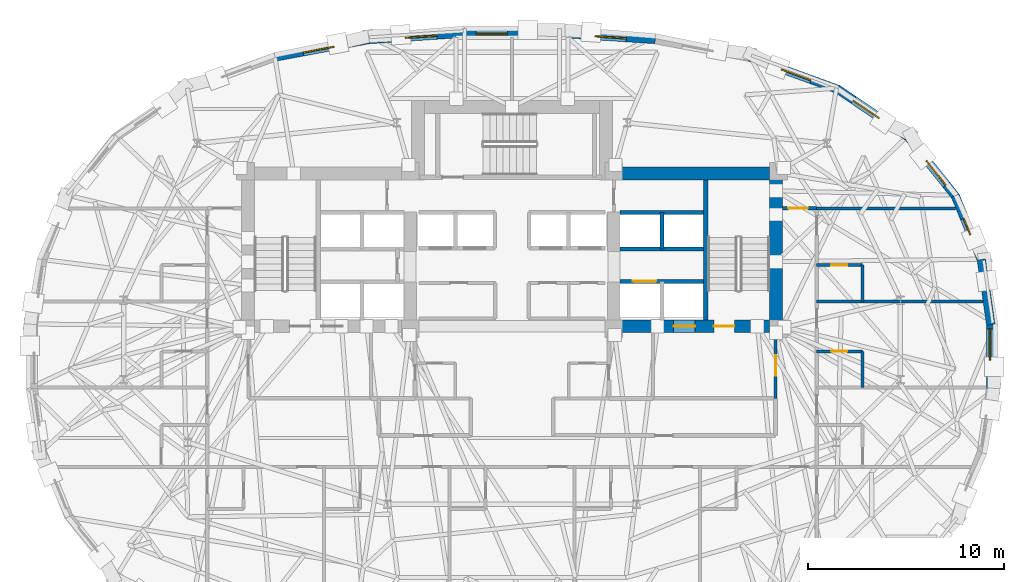
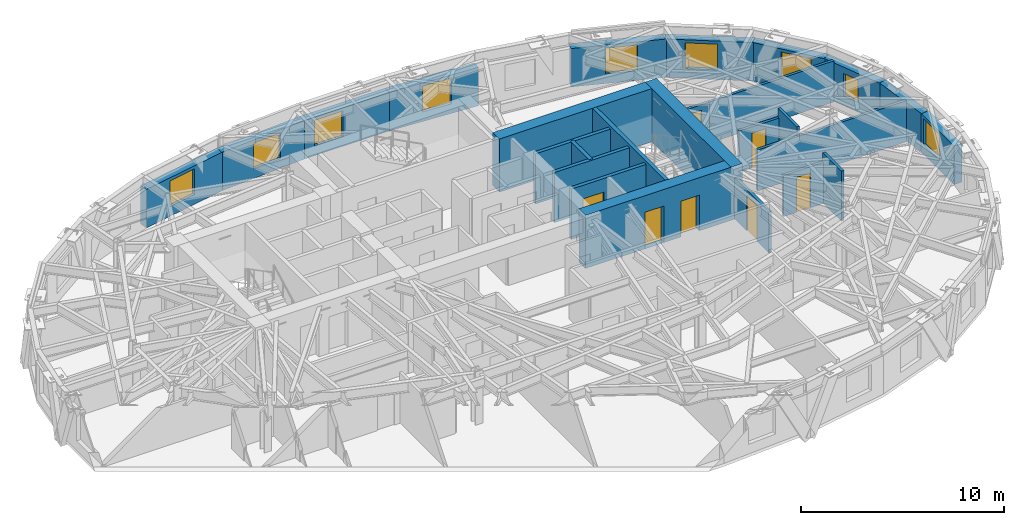
# One storey, part 10 of 15: 26 walls, 9 windows, 7 doors, 16 openings.
"""IFC4 building model written with IfcOpenShell, lengths in metres."""

from ifc_helpers import new_model, si_unit, direction, frame, frame_2d, origin, place, context, subcontext, project, spatial, rectangle, extrude, material, layer, layer_set, type_object, element, fill, save


model = new_model("IFC4")

# Units and contexts
model_context = context("Model", 3, precision=1e-05, world=origin(), true_north=direction((0.0, 1.0)))
body_context = subcontext(model_context, "Body", "Model", "MODEL_VIEW")
ifc_project = project(units=[si_unit("LENGTHUNIT", "METRE"), si_unit("AREAUNIT", "SQUARE_METRE"), si_unit("VOLUMEUNIT", "CUBIC_METRE"), si_unit("PLANEANGLEUNIT", "RADIAN"), si_unit("MASSUNIT", "GRAM", prefix="KILO")], contexts=[model_context])

# Site, building, storey
site_placement = place(None, origin())
site = spatial("IfcSite", under=ifc_project, at=site_placement, CompositionType="ELEMENT")
building_placement = place(site_placement, origin())
building = spatial("IfcBuilding", under=site, at=building_placement, Name="Keldmark Tower", CompositionType="ELEMENT")
storey_placement = place(building_placement, frame((0.0, 0.0, 147.0)))
storey = spatial("IfcBuildingStorey", under=building, at=storey_placement, Name="L39", CompositionType="ELEMENT", Elevation=147.0)

# Wall, opening, door
ifc_material_1 = material(Name="Type X Fire-Rated Gypsum Partition Assembly", Category="gypsum")
ifc_layer_1 = layer(ifc_material_1, 0.1650390625)
ifc_layer_set_1 = layer_set([ifc_layer_1], Name="Type X Fire-Rated Gypsum Partition Assembly")
wall_type_1 = type_object("IfcWallType", Name="Rated Partition 165 mm", PredefinedType="PARTITIONING", material=ifc_layer_set_1)
wall_1_placement = place(storey_placement, frame((13.449951171875, -2.14990234375, 0.0), z_axis=(0.0, 0.0, 1.0), x_axis=(0.0, 1.0, 0.0)))
wall_1 = element("IfcWall", 1, at=wall_1_placement, inside=storey, type_object=wall_type_1, Name="L39 Rated Partition 165 mm FSAE-E-E", PredefinedType="PARTITIONING", context=body_context, shape_type="SweptSolid", body=[
    extrude(rectangle(XDim=3.39990234375, YDim=0.1650390625, at=frame_2d((1.699951171875, 0.0))), origin(), (0.0, 0.0, 1.0), 2.472900390625),
])
opening_1_placement = place(wall_1_placement, frame((1.14990234375, 0.0, 0.0)))
opening_1 = element("IfcOpeningElement", 2, at=opening_1_placement, cuts=wall_1, Name="Opening D-FL105", PredefinedType="OPENING", context=body_context, shape_type="SweptSolid", body=[
    extrude(rectangle(XDim=1.050048828125, YDim=2.14990234375, at=frame_2d((0.52490234375, 1.074951171875))), frame((0.0, 0.092529296875, 0.0), z_axis=(0.0, -1.0, 0.0), x_axis=(1.0, 0.0, 0.0)), (0.0, 0.0, 1.0), 0.18505859375),
])
ifc_material_2 = material(Name="Fire-Rated Mineral-Core Door and Vision Lite", Category="metal")
door_type_1 = type_object("IfcDoorType", Name="Fire Lobby Door 1050x2150", OperationType="NOTDEFINED", PredefinedType="DOOR", material=ifc_material_2)
door_1_placement = place(opening_1_placement, origin())
door_1 = element("IfcDoor", 3, at=door_1_placement, inside=storey, type_object=door_type_1, Name="L39 Fire Lobby Door 1050x2150 D-FSAEE-OUT-L39", OperationType="SINGLE_SWING_LEFT", OverallHeight=2.14990234375, OverallWidth=1.050048828125, PredefinedType="DOOR", context=body_context, shape_type="SweptSolid", body=[
    extrude(rectangle(XDim=1.050048828125, YDim=2.14990234375, at=frame_2d((0.52490234375, 1.074951171875))), frame((0.0, 0.02490234375, 0.0), z_axis=(0.0, -1.0, 0.0), x_axis=(1.0, 0.0, 0.0)), (0.0, 0.0, 1.0), 0.050048828125),
])
fill(opening_1, door_1)

wall_2_placement = place(storey_placement, frame((13.800048828125, 7.550048828125, 0.0), z_axis=(0.0, 0.0, 1.0), x_axis=(1.0, 0.0, 0.0)))
wall_2 = element("IfcWall", 4, at=wall_2_placement, inside=storey, type_object=wall_type_1, Name="L39 Rated Partition 165 mm HCOR-EN", PredefinedType="PARTITIONING", context=body_context, shape_type="SweptSolid", body=[
    extrude(rectangle(XDim=1.75, YDim=0.1650390625, at=frame_2d((0.875, 0.0))), origin(), (0.0, 0.0, 1.0), 2.472900390625),
])
opening_2_placement = place(wall_2_placement, frame((0.300048828125, 0.0, 0.0)))
opening_2 = element("IfcOpeningElement", 5, at=opening_2_placement, cuts=wall_2, Name="Opening D-FD100", PredefinedType="OPENING", context=body_context, shape_type="SweptSolid", body=[
    extrude(rectangle(XDim=1.0, YDim=2.14990234375, at=frame_2d((0.5, 1.074951171875))), frame((0.0, 0.092529296875, 0.0), z_axis=(0.0, -1.0, 0.0), x_axis=(1.0, 0.0, 0.0)), (0.0, 0.0, 1.0), 0.18505859375),
])
ifc_material_3 = material(Name="Hollow Metal Fire-Rated Corridor Door", Category="metal")
door_type_2 = type_object("IfcDoorType", Name="Fire Door 1000x2150", OperationType="NOTDEFINED", PredefinedType="DOOR", material=ifc_material_3)
door_2_placement = place(opening_2_placement, origin())
door_2 = element("IfcDoor", 6, at=door_2_placement, inside=storey, type_object=door_type_2, Name="L39 Fire Door 1000x2150 D-HNNE-L39", OperationType="SINGLE_SWING_RIGHT", OverallHeight=2.14990234375, OverallWidth=1.0, PredefinedType="DOOR", context=body_context, shape_type="SweptSolid", body=[
    extrude(rectangle(XDim=1.0, YDim=2.14990234375, at=frame_2d((0.5, 1.074951171875))), frame((0.0, 0.02490234375, 0.0), z_axis=(0.0, -1.0, 0.0), x_axis=(1.0, 0.0, 0.0)), (0.0, 0.0, 1.0), 0.050048828125),
])
fill(opening_2, door_2)

ifc_material_4 = material(Name="Fire-Resistant Type X Gypsum Shaftliner Coreboard", Category="gypsum")
ifc_layer_2 = layer(ifc_material_4, 0.199951171875)
ifc_layer_set_2 = layer_set([ifc_layer_2], Name="Fire-Resistant Type X Gypsum Shaftliner Coreboard")
wall_type_2 = type_object("IfcWallType", Name="Shaft Wall 200 mm", PredefinedType="SOLIDWALL", material=ifc_layer_set_2)
wall_3_placement = place(storey_placement, frame((5.52490234375, 3.820068359375, 0.0), z_axis=(0.0, 0.0, 1.0), x_axis=(1.0, 0.0, 0.0)))
wall_3 = element("IfcWall", 7, at=wall_3_placement, inside=storey, type_object=wall_type_2, Name="L39 Shaft Wall 200 mm HW-E-S", PredefinedType="SOLIDWALL", context=body_context, shape_type="SweptSolid", body=[
    extrude(rectangle(XDim=4.255126953125, YDim=0.199951171875, at=frame_2d((2.12744140625, 0.0))), origin(), (0.0, 0.0, 1.0), 3.02001953125),
])
opening_3_placement = place(wall_3_placement, frame((0.64990234375, 0.0, 0.0)))
opening_3 = element("IfcOpeningElement", 8, at=opening_3_placement, cuts=wall_3, Name="Opening LD-120", PredefinedType="OPENING", context=body_context, shape_type="SweptSolid", body=[
    extrude(rectangle(XDim=1.199951171875, YDim=2.199951171875, at=frame_2d((0.60009765625, 1.10009765625))), frame((0.0, 0.10986328125, 0.0), z_axis=(0.0, -1.0, 0.0), x_axis=(1.0, 0.0, 0.0)), (0.0, 0.0, 1.0), 0.219970703125),
])
ifc_material_5 = material(Name="Heavy-Duty Brushed Metal Hoistway Sliding Leaf", Category="metal")
door_type_3 = type_object("IfcDoorType", Name="Service Lift Sliding Door 1200x2200", OperationType="SLIDING_TO_RIGHT", PredefinedType="DOOR", material=ifc_material_5)
door_3_placement = place(opening_3_placement, origin())
door_3 = element("IfcDoor", 9, at=door_3_placement, inside=storey, type_object=door_type_3, Name="L39 Service Lift Sliding Door 1200x2200 LD-EL-SV1-L39", OperationType="SLIDING_TO_RIGHT", OverallHeight=2.199951171875, OverallWidth=1.199951171875, PredefinedType="DOOR", context=body_context, shape_type="SweptSolid", body=[
    extrude(rectangle(XDim=1.199951171875, YDim=2.199951171875, at=frame_2d((0.60009765625, 1.10009765625))), frame((0.0, 0.02490234375, 0.0), z_axis=(0.0, -1.0, 0.0), x_axis=(1.0, 0.0, 0.0)), (0.0, 0.0, 1.0), 0.050048828125),
])
fill(opening_3, door_3)

# Walls
for number, where, z_axis, x_axis, name in (
    (10, (5.52490234375, 5.469970703125, 0.0), (0.0, 0.0, 1.0), (1.0, 0.0, 0.0), "L39 Shaft Wall 200 mm HW-E-N"),
    (11, (5.52490234375, 7.330078125, 0.0), (0.0, 0.0, 1.0), (1.0, 0.0, 0.0), "L39 Shaft Wall 200 mm HW-E-TOP"),
):
    element("IfcWall", number, at=place(storey_placement, frame(where, z_axis=z_axis, x_axis=x_axis)), inside=storey, type_object=wall_type_2, Name=name, PredefinedType="SOLIDWALL", context=body_context, shape_type="SweptSolid", body=[
        extrude(rectangle(XDim=4.255126953125, YDim=0.199951171875, at=frame_2d((2.12744140625, 0.0))), origin(), (0.0, 0.0, 1.0), 3.02001953125),
    ])
wall_4_placement = place(storey_placement, frame((7.64990234375, 5.469970703125, 0.0), z_axis=(0.0, 0.0, 1.0), x_axis=(0.0, 1.0, 0.0)))
element("IfcWall", 12, at=wall_4_placement, inside=storey, type_object=wall_type_2, Name="L39 Shaft Wall 200 mm HW-E-NM", PredefinedType="SOLIDWALL", context=body_context, shape_type="SweptSolid", body=[
    extrude(rectangle(XDim=1.860107421875, YDim=0.199951171875, at=frame_2d((0.93017578125, 0.0))), origin(), (0.0, 0.0, 1.0), 3.02001953125),
])
ifc_material_6 = material(Name="Concrete C50/60", Category="concrete")
ifc_layer_3 = layer(ifc_material_6, 0.219970703125)
ifc_layer_set_3 = layer_set([ifc_layer_3], Name="Concrete C50/60")
wall_type_3 = type_object("IfcWallType", Name="Stair Core Shear Wall 220 mm", PredefinedType="SHEAR", material=ifc_layer_set_3)
wall_5_placement = place(storey_placement, frame((9.889892578125, 1.85009765625, 0.0), z_axis=(0.0, 0.0, 1.0), x_axis=(0.0, 1.0, 0.0)))
element("IfcWall", 13, at=wall_5_placement, inside=storey, type_object=wall_type_3, Name="L39 East Stair Core Shear Wall", PredefinedType="SHEAR", context=body_context, shape_type="SweptSolid", body=[
    extrude(rectangle(XDim=7.14990234375, YDim=0.219970703125, at=frame_2d((3.574951171875, 0.0))), origin(), (0.0, 0.0, 1.0), 3.199951171875),
])
ifc_material_7 = material(Name="Ironspot Manganese Brick and Kasota Buff Limestone Spandrel Assembly", Category="masonry")
ifc_layer_4 = layer(ifc_material_7, 0.43994140625)
ifc_layer_set_4 = layer_set([ifc_layer_4], Name="Ironspot Manganese Brick and Kasota Buff Limestone Spandrel Assembly")
wall_type_4 = type_object("IfcWallType", Name="Tower Brick Pier and Spandrel Wall 440 mm", PredefinedType="STANDARD", material=ifc_layer_set_4)
wall_6_placement = place(storey_placement, frame((23.9580078125, 4.939697265625, 0.0), z_axis=(0.0, 0.0, 1.0), x_axis=(0.142296299692, -0.989824107149, 0.0)))
element("IfcWall", 14, at=wall_6_placement, inside=storey, type_object=wall_type_4, Name="L39 Exterior Brick and Spandrel Wall 01", PredefinedType="STANDARD", context=body_context, shape_type="SweptSolid", body=[
    extrude(rectangle(XDim=3.359375, YDim=0.43994140625, at=frame_2d((1.6796875, 0.0))), origin(), (0.0, 0.0, 1.0), 2.31494140625),
])

# Wall, opening, window
wall_7_placement = place(storey_placement, frame((22.628662109375, 8.189453125, 0.0), z_axis=(0.0, 0.0, 1.0), x_axis=(0.376863872061, -0.926268655378, 0.0)))
wall_7 = element("IfcWall", 15, at=wall_7_placement, inside=storey, type_object=wall_type_4, Name="L39 Exterior Brick and Spandrel Wall 02", PredefinedType="STANDARD", context=body_context, shape_type="SweptSolid", body=[
    extrude(rectangle(XDim=3.564208984375, YDim=0.43994140625, at=frame_2d((1.7822265625, 0.0))), origin(), (0.0, 0.0, 1.0), 2.31494140625),
])
opening_4_placement = place(wall_7_placement, frame((1.233642578125, 0.0, 0.580078125)))
opening_4 = element("IfcOpeningElement", 16, at=opening_4_placement, cuts=wall_7, Name="Opening W-09", PredefinedType="OPENING", context=body_context, shape_type="SweptSolid", body=[
    extrude(rectangle(XDim=0.89990234375, YDim=1.35009765625, at=frame_2d((0.449951171875, 0.675048828125))), frame((0.0, 0.22998046875, 0.0), z_axis=(0.0, -1.0, 0.0), x_axis=(1.0, 0.0, 0.0)), (0.0, 0.0, 1.0), 0.4599609375),
])
ifc_material_8 = material(Name="Thermally Broken Anodized Aluminum and Triple Low-E Argon Glazing", Category="aluminium")
window_type_1 = type_object("IfcWindowType", Name="Corner Pier Deep-Set Window 900x1350", PartitioningType="SINGLE_PANEL", PredefinedType="WINDOW", material=ifc_material_8)
window_1_placement = place(opening_4_placement, origin())
window_1 = element("IfcWindow", 17, at=window_1_placement, inside=storey, type_object=window_type_1, Name="L39 Deep-Set Window 02", OverallHeight=1.35009765625, OverallWidth=0.89990234375, PartitioningType="SINGLE_PANEL", PredefinedType="WINDOW", context=body_context, shape_type="SweptSolid", body=[
    extrude(rectangle(XDim=0.89990234375, YDim=1.35009765625, at=frame_2d((0.449951171875, 0.675048828125))), frame((0.0, -0.010009765625, 0.0), z_axis=(0.0, -1.0, 0.0), x_axis=(1.0, 0.0, 0.0)), (0.0, 0.0, 1.0), 0.06005859375),
])
fill(opening_4, window_1)

wall_8_placement = place(storey_placement, frame((20.2197265625, 11.206787109375, 0.0), z_axis=(0.0, 0.0, 1.0), x_axis=(0.622149266174, -0.782898646441, 0.0)))
wall_8 = element("IfcWall", 18, at=wall_8_placement, inside=storey, type_object=wall_type_4, Name="L39 Exterior Brick and Spandrel Wall 03", PredefinedType="STANDARD", context=body_context, shape_type="SweptSolid", body=[
    extrude(rectangle(XDim=3.9228515625, YDim=0.43994140625, at=frame_2d((1.96142578125, 0.0))), origin(), (0.0, 0.0, 1.0), 2.31494140625),
])
opening_5_placement = place(wall_8_placement, frame((1.53125, 0.0, 0.580078125)))
opening_5 = element("IfcOpeningElement", 19, at=opening_5_placement, cuts=wall_8, Name="Opening W-04", PredefinedType="OPENING", context=body_context, shape_type="SweptSolid", body=[
    extrude(rectangle(XDim=1.60009765625, YDim=1.550048828125, at=frame_2d((0.800048828125, 0.77490234375))), frame((0.0, 0.22998046875, 0.0), z_axis=(0.0, -1.0, 0.0), x_axis=(1.0, 0.0, 0.0)), (0.0, 0.0, 1.0), 0.4599609375),
])
ifc_material_9 = material(Name="Thermally Broken Anodized Aluminum and Triple Low-E Argon Glazing", Category="aluminium")
window_type_2 = type_object("IfcWindowType", Name="Hotel Deep-Set Operable Window 1600x1550", PartitioningType="DOUBLE_PANEL_HORIZONTAL", PredefinedType="WINDOW", material=ifc_material_9)
window_2_placement = place(opening_5_placement, origin())
window_2 = element("IfcWindow", 20, at=window_2_placement, inside=storey, type_object=window_type_2, Name="L39 Deep-Set Window 03", OverallHeight=1.550048828125, OverallWidth=1.60009765625, PartitioningType="SINGLE_PANEL", PredefinedType="WINDOW", context=body_context, shape_type="SweptSolid", body=[
    extrude(rectangle(XDim=1.60009765625, YDim=1.550048828125, at=frame_2d((0.800048828125, 0.77490234375))), frame((0.0, -0.010009765625, 0.0), z_axis=(0.0, -1.0, 0.0), x_axis=(1.0, 0.0, 0.0)), (0.0, 0.0, 1.0), 0.06005859375),
])
fill(opening_5, window_2)

wall_9_placement = place(storey_placement, frame((16.61181640625, 13.64013671875, 0.0), z_axis=(0.0, 0.0, 1.0), x_axis=(0.827774624611, -0.561060755044, 0.0)))
wall_9 = element("IfcWall", 21, at=wall_9_placement, inside=storey, type_object=wall_type_4, Name="L39 Exterior Brick and Spandrel Wall 04", PredefinedType="STANDARD", context=body_context, shape_type="SweptSolid", body=[
    extrude(rectangle(XDim=4.41748046875, YDim=0.43994140625, at=frame_2d((2.208740234375, 0.0))), origin(), (0.0, 0.0, 1.0), 2.31494140625),
])
opening_6_placement = place(wall_9_placement, frame((0.989501953125, 0.0, 0.580078125)))
opening_6 = element("IfcOpeningElement", 22, at=opening_6_placement, cuts=wall_9, Name="Opening W-04", PredefinedType="OPENING", context=body_context, shape_type="SweptSolid", body=[
    extrude(rectangle(XDim=1.60009765625, YDim=1.550048828125, at=frame_2d((0.800048828125, 0.77490234375))), frame((0.0, 0.22998046875, 0.0), z_axis=(0.0, -1.0, 0.0), x_axis=(1.0, 0.0, 0.0)), (0.0, 0.0, 1.0), 0.4599609375),
])
window_3_placement = place(opening_6_placement, origin())
window_3 = element("IfcWindow", 23, at=window_3_placement, inside=storey, type_object=window_type_2, Name="L39 Deep-Set Window 04", OverallHeight=1.550048828125, OverallWidth=1.60009765625, PartitioningType="SINGLE_PANEL", PredefinedType="WINDOW", context=body_context, shape_type="SweptSolid", body=[
    extrude(rectangle(XDim=1.60009765625, YDim=1.550048828125, at=frame_2d((0.800048828125, 0.77490234375))), frame((0.0, -0.010009765625, 0.0), z_axis=(0.0, -1.0, 0.0), x_axis=(1.0, 0.0, 0.0)), (0.0, 0.0, 1.0), 0.06005859375),
])
fill(opening_6, window_3)

wall_10_placement = place(storey_placement, frame((12.128662109375, 15.269775390625, 0.0), z_axis=(0.0, 0.0, 1.0), x_axis=(0.939349296455, -0.342961950147, 0.0)))
wall_10 = element("IfcWall", 24, at=wall_10_placement, inside=storey, type_object=wall_type_4, Name="L39 Exterior Brick and Spandrel Wall 05", PredefinedType="STANDARD", context=body_context, shape_type="SweptSolid", body=[
    extrude(rectangle(XDim=4.823486328125, YDim=0.43994140625, at=frame_2d((2.41162109375, 0.0))), origin(), (0.0, 0.0, 1.0), 2.31494140625),
])
opening_7_placement = place(wall_10_placement, frame((1.735595703125, 0.0, 0.580078125)))
opening_7 = element("IfcOpeningElement", 25, at=opening_7_placement, cuts=wall_10, Name="Opening W-04", PredefinedType="OPENING", context=body_context, shape_type="SweptSolid", body=[
    extrude(rectangle(XDim=1.60009765625, YDim=1.550048828125, at=frame_2d((0.800048828125, 0.77490234375))), frame((0.0, 0.22998046875, 0.0), z_axis=(0.0, -1.0, 0.0), x_axis=(1.0, 0.0, 0.0)), (0.0, 0.0, 1.0), 0.4599609375),
])
window_4_placement = place(opening_7_placement, origin())
window_4 = element("IfcWindow", 26, at=window_4_placement, inside=storey, type_object=window_type_2, Name="L39 Deep-Set Window 05", OverallHeight=1.550048828125, OverallWidth=1.60009765625, PartitioningType="SINGLE_PANEL", PredefinedType="WINDOW", context=body_context, shape_type="SweptSolid", body=[
    extrude(rectangle(XDim=1.60009765625, YDim=1.550048828125, at=frame_2d((0.800048828125, 0.77490234375))), frame((0.0, -0.010009765625, 0.0), z_axis=(0.0, -1.0, 0.0), x_axis=(1.0, 0.0, 0.0)), (0.0, 0.0, 1.0), 0.06005859375),
])
fill(opening_7, window_4)

wall_11_placement = place(storey_placement, frame((2.413818359375, 16.49169921875, 0.0), z_axis=(0.0, 0.0, 1.0), x_axis=(0.997822793171, -0.065952054018, 0.0)))
wall_11 = element("IfcWall", 27, at=wall_11_placement, inside=storey, type_object=wall_type_4, Name="L39 Exterior Brick and Spandrel Wall 07", PredefinedType="STANDARD", context=body_context, shape_type="SweptSolid", body=[
    extrude(rectangle(XDim=4.916015625, YDim=0.43994140625, at=frame_2d((2.4580078125, 0.0))), origin(), (0.0, 0.0, 1.0), 2.31494140625),
])
opening_8_placement = place(wall_11_placement, frame((1.8310546875, 0.0, 0.580078125)))
opening_8 = element("IfcOpeningElement", 28, at=opening_8_placement, cuts=wall_11, Name="Opening W-04", PredefinedType="OPENING", context=body_context, shape_type="SweptSolid", body=[
    extrude(rectangle(XDim=1.60009765625, YDim=1.550048828125, at=frame_2d((0.800048828125, 0.77490234375))), frame((0.0, 0.22998046875, 0.0), z_axis=(0.0, -1.0, 0.0), x_axis=(1.0, 0.0, 0.0)), (0.0, 0.0, 1.0), 0.4599609375),
])
window_5_placement = place(opening_8_placement, origin())
window_5 = element("IfcWindow", 29, at=window_5_placement, inside=storey, type_object=window_type_2, Name="L39 Deep-Set Window 07", OverallHeight=1.550048828125, OverallWidth=1.60009765625, PartitioningType="SINGLE_PANEL", PredefinedType="WINDOW", context=body_context, shape_type="SweptSolid", body=[
    extrude(rectangle(XDim=1.60009765625, YDim=1.550048828125, at=frame_2d((0.800048828125, 0.77490234375))), frame((0.0, -0.010009765625, 0.0), z_axis=(0.0, -1.0, 0.0), x_axis=(1.0, 0.0, 0.0)), (0.0, 0.0, 1.0), 0.06005859375),
])
fill(opening_8, window_5)

wall_12_placement = place(storey_placement, frame((-2.42822265625, 16.4912109375, 0.0), z_axis=(0.0, 0.0, 1.0), x_axis=(1.0, 0.0, 0.0)))
wall_12 = element("IfcWall", 30, at=wall_12_placement, inside=storey, type_object=wall_type_4, Name="L39 Exterior Brick and Spandrel Wall 08", PredefinedType="STANDARD", context=body_context, shape_type="SweptSolid", body=[
    extrude(rectangle(XDim=4.8564453125, YDim=0.43994140625, at=frame_2d((2.42822265625, 0.0))), origin(), (0.0, 0.0, 1.0), 2.31494140625),
])
opening_9_placement = place(wall_12_placement, frame((0.593994140625, 0.0, 0.580078125)))
opening_9 = element("IfcOpeningElement", 31, at=opening_9_placement, cuts=wall_12, Name="Opening W-04", PredefinedType="OPENING", context=body_context, shape_type="SweptSolid", body=[
    extrude(rectangle(XDim=1.60009765625, YDim=1.550048828125, at=frame_2d((0.800048828125, 0.77490234375))), frame((0.0, 0.22998046875, 0.0), z_axis=(0.0, -1.0, 0.0), x_axis=(1.0, 0.0, 0.0)), (0.0, 0.0, 1.0), 0.4599609375),
])
window_6_placement = place(opening_9_placement, origin())
window_6 = element("IfcWindow", 32, at=window_6_placement, inside=storey, type_object=window_type_2, Name="L39 Deep-Set Window 08", OverallHeight=1.550048828125, OverallWidth=1.60009765625, PartitioningType="SINGLE_PANEL", PredefinedType="WINDOW", context=body_context, shape_type="SweptSolid", body=[
    extrude(rectangle(XDim=1.60009765625, YDim=1.550048828125, at=frame_2d((0.800048828125, 0.77490234375))), frame((0.0, -0.010009765625, 0.0), z_axis=(0.0, -1.0, 0.0), x_axis=(1.0, 0.0, 0.0)), (0.0, 0.0, 1.0), 0.06005859375),
])
fill(opening_9, window_6)

wall_13_placement = place(storey_placement, frame((-7.319091796875, 16.16748046875, 0.0), z_axis=(0.0, 0.0, 1.0), x_axis=(0.997822793171, 0.065952054018, 0.0)))
wall_13 = element("IfcWall", 33, at=wall_13_placement, inside=storey, type_object=wall_type_4, Name="L39 Exterior Brick and Spandrel Wall 09", PredefinedType="STANDARD", context=body_context, shape_type="SweptSolid", body=[
    extrude(rectangle(XDim=4.916015625, YDim=0.43994140625, at=frame_2d((2.4580078125, 0.0))), origin(), (0.0, 0.0, 1.0), 2.31494140625),
])
opening_10_placement = place(wall_13_placement, frame((1.880615234375, 0.0, 0.580078125)))
opening_10 = element("IfcOpeningElement", 34, at=opening_10_placement, cuts=wall_13, Name="Opening W-04", PredefinedType="OPENING", context=body_context, shape_type="SweptSolid", body=[
    extrude(rectangle(XDim=1.60009765625, YDim=1.550048828125, at=frame_2d((0.800048828125, 0.77490234375))), frame((0.0, 0.22998046875, 0.0), z_axis=(0.0, -1.0, 0.0), x_axis=(1.0, 0.0, 0.0)), (0.0, 0.0, 1.0), 0.4599609375),
])
window_7_placement = place(opening_10_placement, origin())
window_7 = element("IfcWindow", 35, at=window_7_placement, inside=storey, type_object=window_type_2, Name="L39 Deep-Set Window 09", OverallHeight=1.550048828125, OverallWidth=1.60009765625, PartitioningType="SINGLE_PANEL", PredefinedType="WINDOW", context=body_context, shape_type="SweptSolid", body=[
    extrude(rectangle(XDim=1.60009765625, YDim=1.550048828125, at=frame_2d((0.800048828125, 0.77490234375))), frame((0.0, -0.010009765625, 0.0), z_axis=(0.0, -1.0, 0.0), x_axis=(1.0, 0.0, 0.0)), (0.0, 0.0, 1.0), 0.06005859375),
])
fill(opening_10, window_7)

wall_14_placement = place(storey_placement, frame((-12.163818359375, 15.26025390625, 0.0), z_axis=(0.0, 0.0, 1.0), x_axis=(0.98297578121, 0.183735172338, 0.0)))
wall_14 = element("IfcWall", 36, at=wall_14_placement, inside=storey, type_object=wall_type_4, Name="L39 Exterior Brick and Spandrel Wall 10", PredefinedType="STANDARD", context=body_context, shape_type="SweptSolid", body=[
    extrude(rectangle(XDim=4.955078125, YDim=0.43994140625, at=frame_2d((2.4775390625, 0.0))), origin(), (0.0, 0.0, 1.0), 2.31494140625),
])
opening_11_placement = place(wall_14_placement, frame((1.52978515625, 0.0, 0.580078125)))
opening_11 = element("IfcOpeningElement", 37, at=opening_11_placement, cuts=wall_14, Name="Opening W-04", PredefinedType="OPENING", context=body_context, shape_type="SweptSolid", body=[
    extrude(rectangle(XDim=1.60009765625, YDim=1.550048828125, at=frame_2d((0.800048828125, 0.77490234375))), frame((0.0, 0.22998046875, 0.0), z_axis=(0.0, -1.0, 0.0), x_axis=(1.0, 0.0, 0.0)), (0.0, 0.0, 1.0), 0.4599609375),
])
window_8_placement = place(opening_11_placement, origin())
window_8 = element("IfcWindow", 38, at=window_8_placement, inside=storey, type_object=window_type_2, Name="L39 Deep-Set Window 10", OverallHeight=1.550048828125, OverallWidth=1.60009765625, PartitioningType="SINGLE_PANEL", PredefinedType="WINDOW", context=body_context, shape_type="SweptSolid", body=[
    extrude(rectangle(XDim=1.60009765625, YDim=1.550048828125, at=frame_2d((0.800048828125, 0.77490234375))), frame((0.0, -0.010009765625, 0.0), z_axis=(0.0, -1.0, 0.0), x_axis=(1.0, 0.0, 0.0)), (0.0, 0.0, 1.0), 0.06005859375),
])
fill(opening_11, window_8)

wall_15_placement = place(storey_placement, frame((24.433837890625, 1.64599609375, 0.0), z_axis=(0.0, 0.0, 1.0), x_axis=(0.0, -1.0, 0.0)))
wall_15 = element("IfcWall", 39, at=wall_15_placement, inside=storey, type_object=wall_type_4, Name="L39 Exterior Brick and Spandrel Wall 32", PredefinedType="STANDARD", context=body_context, shape_type="SweptSolid", body=[
    extrude(rectangle(XDim=3.2919921875, YDim=0.43994140625, at=frame_2d((1.64599609375, 0.0))), origin(), (0.0, 0.0, 1.0), 2.31494140625),
])
opening_12_placement = place(wall_15_placement, frame((0.249755859375, 0.0, 0.580078125)))
opening_12 = element("IfcOpeningElement", 40, at=opening_12_placement, cuts=wall_15, Name="Opening W-04", PredefinedType="OPENING", context=body_context, shape_type="SweptSolid", body=[
    extrude(rectangle(XDim=1.60009765625, YDim=1.550048828125, at=frame_2d((0.800048828125, 0.77490234375))), frame((0.0, 0.22998046875, 0.0), z_axis=(0.0, -1.0, 0.0), x_axis=(1.0, 0.0, 0.0)), (0.0, 0.0, 1.0), 0.4599609375),
])
window_9_placement = place(opening_12_placement, origin())
window_9 = element("IfcWindow", 41, at=window_9_placement, inside=storey, type_object=window_type_2, Name="L39 Deep-Set Window 32", OverallHeight=1.550048828125, OverallWidth=1.60009765625, PartitioningType="SINGLE_PANEL", PredefinedType="WINDOW", context=body_context, shape_type="SweptSolid", body=[
    extrude(rectangle(XDim=1.60009765625, YDim=1.550048828125, at=frame_2d((0.800048828125, 0.77490234375))), frame((0.0, -0.010009765625, 0.0), z_axis=(0.0, -1.0, 0.0), x_axis=(1.0, 0.0, 0.0)), (0.0, 0.0, 1.0), 0.06005859375),
])
fill(opening_12, window_9)

# Walls
ifc_material_10 = material(Name="Concrete C50/60", Category="concrete")
ifc_layer_5 = layer(ifc_material_10, 0.64990234375)
ifc_layer_set_5 = layer_set([ifc_layer_5], Name="Concrete C50/60")
wall_type_5 = type_object("IfcWallType", Name="Upper-Mid Core Shear Wall 650 mm", PredefinedType="SHEAR", material=ifc_layer_set_5)
wall_16_placement = place(storey_placement, frame((13.47509765625, 1.199951171875, 0.0), z_axis=(0.0, 0.0, 1.0), x_axis=(0.0, 1.0, 0.0)))
element("IfcWall", 42, at=wall_16_placement, inside=storey, type_object=wall_type_5, Name="L39 East Core Outer Shear Wall", PredefinedType="SHEAR", context=body_context, shape_type="SweptSolid", body=[
    extrude(rectangle(XDim=8.449951171875, YDim=0.64990234375, at=frame_2d((4.22509765625, 0.0))), origin(), (0.0, 0.0, 1.0), 3.199951171875),
])
wall_17_placement = place(storey_placement, frame((4.47509765625, 9.324951171875, 0.0), z_axis=(0.0, 0.0, 1.0), x_axis=(1.0, 0.0, 0.0)))
element("IfcWall", 43, at=wall_17_placement, inside=storey, type_object=wall_type_5, Name="L39 East Core North Shear Wall", PredefinedType="SHEAR", context=body_context, shape_type="SweptSolid", body=[
    extrude(rectangle(XDim=9.324951171875, YDim=0.64990234375, at=frame_2d((4.66259765625, 0.0))), origin(), (0.0, 0.0, 1.0), 3.199951171875),
])

# Wall, openings, doors
wall_18_placement = place(storey_placement, frame((13.800048828125, 1.52490234375, 0.0), z_axis=(0.0, 0.0, 1.0), x_axis=(-1.0, 0.0, 0.0)))
wall_18 = element("IfcWall", 44, at=wall_18_placement, inside=storey, type_object=wall_type_5, Name="L39 East Core South Shear Wall", PredefinedType="SHEAR", context=body_context, shape_type="SweptSolid", body=[
    extrude(rectangle(XDim=8.925048828125, YDim=0.64990234375, at=frame_2d((4.46240234375, 0.0))), origin(), (0.0, 0.0, 1.0), 3.199951171875),
])
opening_13_placement = place(wall_18_placement, frame((2.449951171875, 0.0, 0.0)))
opening_13 = element("IfcOpeningElement", 45, at=opening_13_placement, cuts=wall_18, Name="Opening D-ST105", PredefinedType="OPENING", context=body_context, shape_type="SweptSolid", body=[
    extrude(rectangle(XDim=1.050048828125, YDim=2.14990234375, at=frame_2d((0.52490234375, 1.074951171875))), frame((0.0, 0.3349609375, 0.0), z_axis=(0.0, -1.0, 0.0), x_axis=(1.0, 0.0, 0.0)), (0.0, 0.0, 1.0), 0.669921875),
])
opening_14_placement = place(wall_18_placement, frame((4.449951171875, 0.0, 0.0)))
opening_14 = element("IfcOpeningElement", 46, at=opening_14_placement, cuts=wall_18, Name="Opening LD-110", PredefinedType="OPENING", context=body_context, shape_type="SweptSolid", body=[
    extrude(rectangle(XDim=1.10009765625, YDim=2.199951171875, at=frame_2d((0.550048828125, 1.10009765625))), frame((0.0, 0.3349609375, 0.0), z_axis=(0.0, -1.0, 0.0), x_axis=(1.0, 0.0, 0.0)), (0.0, 0.0, 1.0), 0.669921875),
])
ifc_material_11 = material(Name="Brushed Bronze Hoistway Sliding Leaf", Category="metal")
door_type_4 = type_object("IfcDoorType", Name="Lift Landing Sliding Door 1100x2200", OperationType="SLIDING_TO_LEFT", PredefinedType="DOOR", material=ifc_material_11)
door_4_placement = place(opening_14_placement, origin())
door_4 = element("IfcDoor", 47, at=door_4_placement, inside=storey, type_object=door_type_4, Name="L39 Lift Landing Sliding Door 1100x2200 LD-EL-FS2-L39", OperationType="SLIDING_TO_LEFT", OverallHeight=2.199951171875, OverallWidth=1.10009765625, PredefinedType="DOOR", context=body_context, shape_type="SweptSolid", body=[
    extrude(rectangle(XDim=1.10009765625, YDim=2.199951171875, at=frame_2d((0.550048828125, 1.10009765625))), frame((0.0, 0.02490234375, 0.0), z_axis=(0.0, -1.0, 0.0), x_axis=(1.0, 0.0, 0.0)), (0.0, 0.0, 1.0), 0.050048828125),
])
fill(opening_14, door_4)
ifc_material_12 = material(Name="Hollow Metal Fire-Rated Door Assembly", Category="metal")
door_type_5 = type_object("IfcDoorType", Name="Stair Fire Door 1050x2150", OperationType="NOTDEFINED", PredefinedType="DOOR", material=ifc_material_12)
door_5_placement = place(opening_13_placement, origin())
door_5 = element("IfcDoor", 48, at=door_5_placement, inside=storey, type_object=door_type_5, Name="L39 Stair Fire Door 1050x2150 D-ST2-L39", OperationType="SINGLE_SWING_LEFT", OverallHeight=2.14990234375, OverallWidth=1.050048828125, PredefinedType="DOOR", context=body_context, shape_type="SweptSolid", body=[
    extrude(rectangle(XDim=1.050048828125, YDim=2.14990234375, at=frame_2d((0.52490234375, 1.074951171875))), frame((0.0, 0.02490234375, 0.0), z_axis=(0.0, -1.0, 0.0), x_axis=(1.0, 0.0, 0.0)), (0.0, 0.0, 1.0), 0.050048828125),
])
fill(opening_13, door_5)

# Walls
ifc_material_13 = material(Name="Moisture-Resistant Gypsum Plumbing Partition", Category="gypsum")
ifc_layer_6 = layer(ifc_material_13, 0.14990234375)
ifc_layer_set_6 = layer_set([ifc_layer_6], Name="Moisture-Resistant Gypsum Plumbing Partition")
wall_type_6 = type_object("IfcWallType", Name="Wet Wall 150 mm", PredefinedType="PLUMBINGWALL", material=ifc_layer_set_6)
wall_19_placement = place(storey_placement, frame((15.550048828125, 7.550048828125, 0.0), z_axis=(0.0, 0.0, 1.0), x_axis=(1.0, 0.0, 0.0)))
element("IfcWall", 49, at=wall_19_placement, inside=storey, type_object=wall_type_6, Name="L39 Wet Wall 150 mm HE-CAP-N", PredefinedType="PLUMBINGWALL", context=body_context, shape_type="SweptSolid", body=[
    extrude(rectangle(XDim=7.092529296875, YDim=0.14990234375, at=frame_2d((3.54638671875, 0.0))), origin(), (0.0, 0.0, 1.0), 2.472900390625),
])
wall_20_placement = place(storey_placement, frame((15.550048828125, 2.800048828125, 0.0), z_axis=(0.0, 0.0, 1.0), x_axis=(1.0, 0.0, 0.0)))
element("IfcWall", 50, at=wall_20_placement, inside=storey, type_object=wall_type_6, Name="L39 Wet Wall 150 mm HE-DIV-2", PredefinedType="PLUMBINGWALL", context=body_context, shape_type="SweptSolid", body=[
    extrude(rectangle(XDim=8.4853515625, YDim=0.14990234375, at=frame_2d((4.24267578125, 0.0))), origin(), (0.0, 0.0, 1.0), 2.472900390625),
])

# Wall, opening, door
wall_21_placement = place(storey_placement, frame((15.550048828125, 0.25, 0.0), z_axis=(0.0, 0.0, 1.0), x_axis=(1.0, 0.0, 0.0)))
wall_21 = element("IfcWall", 51, at=wall_21_placement, inside=storey, type_object=wall_type_6, Name="L39 Wet Wall 150 mm HB-10-N", PredefinedType="PLUMBINGWALL", context=body_context, shape_type="SweptSolid", body=[
    extrude(rectangle(XDim=2.349853515625, YDim=0.14990234375, at=frame_2d((1.1748046875, 0.0))), origin(), (0.0, 0.0, 1.0), 2.472900390625),
])
opening_15_placement = place(wall_21_placement, frame((0.75, 0.0, 0.0)))
opening_15 = element("IfcOpeningElement", 52, at=opening_15_placement, cuts=wall_21, Name="Opening D-BT080", PredefinedType="OPENING", context=body_context, shape_type="SweptSolid", body=[
    extrude(rectangle(XDim=0.800048828125, YDim=2.10009765625, at=frame_2d((0.39990234375, 1.050048828125))), frame((0.0, 0.0849609375, 0.0), z_axis=(0.0, -1.0, 0.0), x_axis=(1.0, 0.0, 0.0)), (0.0, 0.0, 1.0), 0.169921875),
])
ifc_material_14 = material(Name="Moisture-Sealed Stained Wood", Category="wood")
door_type_6 = type_object("IfcDoorType", Name="Bathroom Door 800x2100", OperationType="NOTDEFINED", PredefinedType="DOOR", material=ifc_material_14)
door_6_placement = place(opening_15_placement, origin())
door_6 = element("IfcDoor", 53, at=door_6_placement, inside=storey, type_object=door_type_6, Name="L39 Bathroom Door 800x2100 D-HB-10-L39", OperationType="SINGLE_SWING_LEFT", OverallHeight=2.10009765625, OverallWidth=0.800048828125, PredefinedType="DOOR", context=body_context, shape_type="SweptSolid", body=[
    extrude(rectangle(XDim=0.800048828125, YDim=2.10009765625, at=frame_2d((0.39990234375, 1.050048828125))), frame((0.0, 0.02490234375, 0.0), z_axis=(0.0, -1.0, 0.0), x_axis=(1.0, 0.0, 0.0)), (0.0, 0.0, 1.0), 0.050048828125),
])
fill(opening_15, door_6)

# Wall
wall_22_placement = place(storey_placement, frame((17.89990234375, -1.60009765625, 0.0), z_axis=(0.0, 0.0, 1.0), x_axis=(0.0, 1.0, 0.0)))
element("IfcWall", 54, at=wall_22_placement, inside=storey, type_object=wall_type_6, Name="L39 Wet Wall 150 mm HB-10-IN", PredefinedType="PLUMBINGWALL", context=body_context, shape_type="SweptSolid", body=[
    extrude(rectangle(XDim=1.85009765625, YDim=0.14990234375, at=frame_2d((0.925048828125, 0.0))), origin(), (0.0, 0.0, 1.0), 3.02001953125),
])

# Wall, opening, door
wall_23_placement = place(storey_placement, frame((15.550048828125, 4.64990234375, 0.0), z_axis=(0.0, 0.0, 1.0), x_axis=(1.0, 0.0, 0.0)))
wall_23 = element("IfcWall", 55, at=wall_23_placement, inside=storey, type_object=wall_type_6, Name="L39 Wet Wall 150 mm HB-11-N", PredefinedType="PLUMBINGWALL", context=body_context, shape_type="SweptSolid", body=[
    extrude(rectangle(XDim=2.349853515625, YDim=0.14990234375, at=frame_2d((1.1748046875, 0.0))), origin(), (0.0, 0.0, 1.0), 2.472900390625),
])
opening_16_placement = place(wall_23_placement, frame((0.75, 0.0, 0.0)))
opening_16 = element("IfcOpeningElement", 56, at=opening_16_placement, cuts=wall_23, Name="Opening D-BT080", PredefinedType="OPENING", context=body_context, shape_type="SweptSolid", body=[
    extrude(rectangle(XDim=0.800048828125, YDim=2.10009765625, at=frame_2d((0.39990234375, 1.050048828125))), frame((0.0, 0.0849609375, 0.0), z_axis=(0.0, -1.0, 0.0), x_axis=(1.0, 0.0, 0.0)), (0.0, 0.0, 1.0), 0.169921875),
])
door_7_placement = place(opening_16_placement, origin())
door_7 = element("IfcDoor", 57, at=door_7_placement, inside=storey, type_object=door_type_6, Name="L39 Bathroom Door 800x2100 D-HB-11-L39", OperationType="SINGLE_SWING_LEFT", OverallHeight=2.10009765625, OverallWidth=0.800048828125, PredefinedType="DOOR", context=body_context, shape_type="SweptSolid", body=[
    extrude(rectangle(XDim=0.800048828125, YDim=2.10009765625, at=frame_2d((0.39990234375, 1.050048828125))), frame((0.0, 0.02490234375, 0.0), z_axis=(0.0, -1.0, 0.0), x_axis=(1.0, 0.0, 0.0)), (0.0, 0.0, 1.0), 0.050048828125),
])
fill(opening_16, door_7)

# Wall
wall_24_placement = place(storey_placement, frame((17.89990234375, 2.800048828125, 0.0), z_axis=(0.0, 0.0, 1.0), x_axis=(0.0, 1.0, 0.0)))
element("IfcWall", 58, at=wall_24_placement, inside=storey, type_object=wall_type_6, Name="L39 Wet Wall 150 mm HB-11-IN", PredefinedType="PLUMBINGWALL", context=body_context, shape_type="SweptSolid", body=[
    extrude(rectangle(XDim=1.849853515625, YDim=0.14990234375, at=frame_2d((0.9248046875, 0.0))), origin(), (0.0, 0.0, 1.0), 3.02001953125),
])

save(model, "model.ifc")
